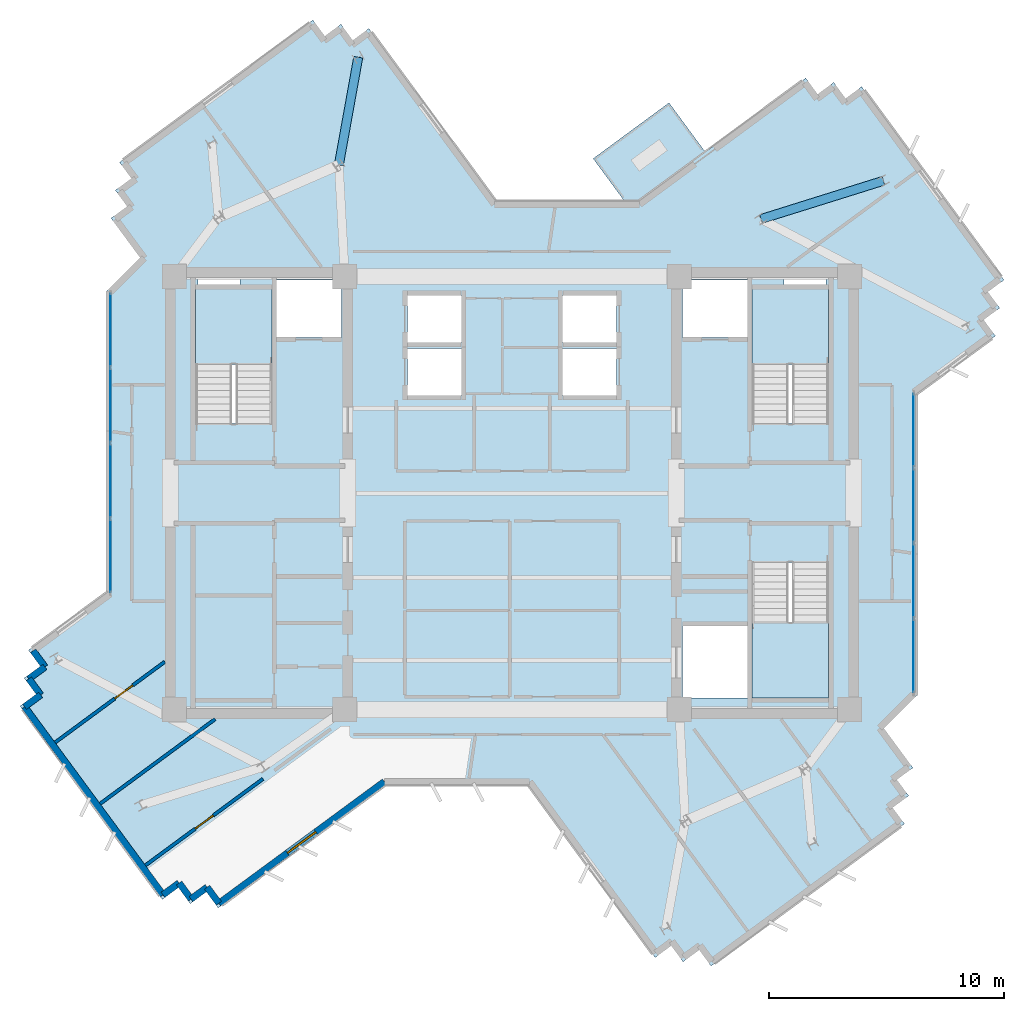
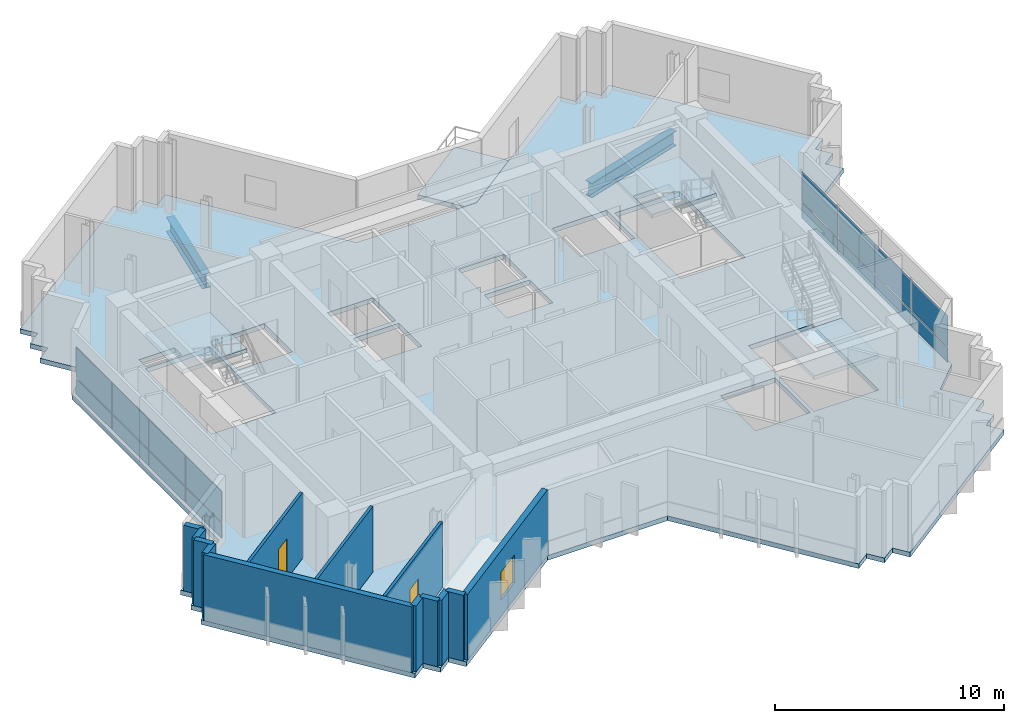
# One storey, part 5 of 13: 16 plates, 13 walls, 5 slabs, 2 beams, 2 doors, 1 window, 3 openings, 5 elements without a shape of their own.
"""IFC4 building model written with IfcOpenShell, lengths in metres."""

from ifc_helpers import new_model, si_unit, direction, frame, frame_2d, origin, origin_2d, place, context, subcontext, project, spatial, polyline, rectangle, i_section, outline, extrude, source, transform, mapped, material, layer, layer_set, material_profile, profile_set, type_object, element, fill, aggregate, save


model = new_model("IFC4")

# Units and contexts
model_context = context("Model", 3, precision=1e-05, world=origin(), true_north=direction((0.0, 1.0)))
body_context = subcontext(model_context, "Body", "Model", "MODEL_VIEW")
ifc_project = project(units=[si_unit("LENGTHUNIT", "METRE"), si_unit("AREAUNIT", "SQUARE_METRE"), si_unit("VOLUMEUNIT", "CUBIC_METRE"), si_unit("PLANEANGLEUNIT", "RADIAN"), si_unit("MASSUNIT", "GRAM", prefix="KILO")], contexts=[model_context])

# Site, building, storey
site_placement = place(None, origin())
site = spatial("IfcSite", under=ifc_project, at=site_placement, CompositionType="ELEMENT")
building_placement = place(site_placement, origin())
building = spatial("IfcBuilding", under=site, at=building_placement, Name="Zahravan Cultural Tower", CompositionType="ELEMENT")
storey_placement = place(building_placement, frame((0.0, 0.0, 276.60009765625)))
storey = spatial("IfcBuildingStorey", under=building, at=storey_placement, Name="L66", CompositionType="ELEMENT", Elevation=276.60009765625)

# Beams
ifc_material_1 = material(Name="Steel ASTM A992 Grade 50", Category="steel")
ifc_material_profile = material_profile(ifc_material_1, i_section(OverallWidth=0.382080078125, OverallDepth=0.779052734375, WebThickness=0.01806640625, FlangeThickness=0.030029296875, FilletRadius=0.01904296875, at=origin_2d()), Name="W30X191")
ifc_profile_set = profile_set([ifc_material_profile], Name="Steel ASTM A992 Grade 50")
beam_type = type_object("IfcBeamType", Name="BM-G-W30X191", PredefinedType="BEAM", material=ifc_profile_set)
shared_shape_1 = source(origin(), body_context, "Body", "SweptSolid", [
    extrude(i_section(OverallWidth=0.382080078125, OverallDepth=0.779052734375, WebThickness=0.01806640625, FlangeThickness=0.030029296875, FilletRadius=0.01904296875, at=origin_2d()), origin(), (0.0, 0.0, 1.0), 5.450927734375),
])
beam_1_placement = place(storey_placement, frame((46.577880859375, 38.640625, -0.6396484375), z_axis=(0.954416996605, 0.298476459025, 0.0), x_axis=(-0.298476459025, 0.954416996605, 0.0)))
element("IfcBeam", 1, at=beam_1_placement, inside=storey, type_object=beam_type, Name="L66 Beam BG-L66-13", PredefinedType="BEAM", context=body_context, shape_type="MappedRepresentation", body=[
    mapped(shared_shape_1, transform((0.0, 0.0, 0.0), x_axis=(1.0, 0.0, 0.0), y_axis=(0.0, 1.0, 0.0), z_axis=(0.0, 0.0, 1.0), scale=1.0)),
])
shared_shape_2 = source(origin(), body_context, "Body", "SweptSolid", [
    extrude(i_section(OverallWidth=0.382080078125, OverallDepth=0.779052734375, WebThickness=0.01806640625, FlangeThickness=0.030029296875, FilletRadius=0.01904296875, at=origin_2d()), origin(), (0.0, 0.0, 1.0), 4.65087890625),
])
beam_2_placement = place(storey_placement, frame((28.642578125, 40.937255859375, -0.6396484375), z_axis=(0.177425522697, 0.984134230629, 0.0), x_axis=(-0.984134230629, 0.177425522697, 0.0)))
element("IfcBeam", 2, at=beam_2_placement, inside=storey, type_object=beam_type, Name="L66 Beam BG-L66-14", PredefinedType="BEAM", context=body_context, shape_type="MappedRepresentation", body=[
    mapped(shared_shape_2, transform((0.0, 0.0, 0.0), x_axis=(1.0, 0.0, 0.0), y_axis=(0.0, 1.0, 0.0), z_axis=(0.0, 0.0, 1.0), scale=1.0)),
])

# Stair, slab
ifc_material_2 = material(Name="Concrete C45/55", Category="concrete")
stair_type = type_object("IfcStairType", Name="STR-DL-1550-375", PredefinedType="HALF_TURN_STAIR", material=ifc_material_2)
stair_1_placement = place(storey_placement, origin())
stair_1 = element("IfcStair", 3, at=stair_1_placement, inside=storey, type_object=stair_type, Name="L66 West Core North Exit Stair ST-W1", PredefinedType="HALF_TURN_STAIR")
ifc_layer_1 = layer(ifc_material_2, 0.199951171875)
ifc_layer_set_1 = layer_set([ifc_layer_1], Name="Concrete C45/55")
slab_type_1 = type_object("IfcSlabType", Name="SL-STAIR-LND200", PredefinedType="LANDING", material=ifc_layer_set_1)
slab_1_placement = place(storey_placement, frame((0.0, 0.0, 1.6748046875)))
slab_1 = element("IfcSlab", 4, at=slab_1_placement, type_object=slab_type_1, Name="ST-W1 landing 1", PredefinedType="LANDING", context=body_context, shape_type="SweptSolid", body=[
    extrude(outline(polyline([(25.800048828125, 32.469970703125), (25.800048828125, 35.699951171875), (22.550048828125, 35.699951171875), (22.550048828125, 32.469970703125), (25.800048828125, 32.469970703125)])), origin(), (0.0, 0.0, 1.0), 0.2001953125),
])
aggregate(stair_1, [slab_1])

stair_2_placement = place(storey_placement, origin())
stair_2 = element("IfcStair", 5, at=stair_2_placement, inside=storey, type_object=stair_type, Name="L66 East Core North Exit Stair ST-E1", PredefinedType="HALF_TURN_STAIR")
slab_2_placement = place(storey_placement, frame((0.0, 0.0, 1.6748046875)))
slab_2 = element("IfcSlab", 6, at=slab_2_placement, type_object=slab_type_1, Name="ST-E1 landing 1", PredefinedType="LANDING", context=body_context, shape_type="SweptSolid", body=[
    extrude(outline(polyline([(49.449951171875, 32.469970703125), (49.449951171875, 35.699951171875), (46.199951171875, 35.699951171875), (46.199951171875, 32.469970703125), (49.449951171875, 32.469970703125)])), origin(), (0.0, 0.0, 1.0), 0.2001953125),
])
aggregate(stair_2, [slab_2])

stair_3_placement = place(storey_placement, origin())
stair_3 = element("IfcStair", 7, at=stair_3_placement, inside=storey, type_object=stair_type, Name="L66 East Core South Exit Stair ST-E2", PredefinedType="HALF_TURN_STAIR")
slab_3_placement = place(storey_placement, frame((0.0, 0.0, 1.6748046875)))
slab_3 = element("IfcSlab", 8, at=slab_3_placement, type_object=slab_type_1, Name="ST-E2 landing 1", PredefinedType="LANDING", context=body_context, shape_type="SweptSolid", body=[
    extrude(outline(polyline([(46.199951171875, 21.530029296875), (46.199951171875, 18.300048828125), (49.449951171875, 18.300048828125), (49.449951171875, 21.530029296875), (46.199951171875, 21.530029296875)])), origin(), (0.0, 0.0, 1.0), 0.2001953125),
])
aggregate(stair_3, [slab_3])

# Slabs
ifc_material_3 = material(Name="Concrete C40/50", Category="concrete")
ifc_layer_2 = layer(ifc_material_3, 0.239990234375)
ifc_layer_set_2 = layer_set([ifc_layer_2], Name="Concrete C40/50")
slab_type_2 = type_object("IfcSlabType", Name="SL-TERR-240", PredefinedType="FLOOR", material=ifc_layer_set_2)
slab_4_placement = place(storey_placement, frame((0.0, 0.0, -0.239990234375)))
element("IfcSlab", 9, at=slab_4_placement, inside=storey, type_object=slab_type_2, Name="L66 Planted Sculpture Terrace NE", PredefinedType="FLOOR", context=body_context, shape_type="SweptSolid", body=[
    extrude(outline(polyline([(39.44921875, 41.209228515625), (40.77685546875, 39.405029296875), (41.37548828125, 39.405029296875), (44.208740234375, 41.489990234375), (42.670654296875, 43.580078125), (39.44921875, 41.209228515625)])), origin(), (0.0, 0.0, 1.0), 0.239990234375),
])
ifc_layer_3 = layer(ifc_material_3, 0.25)
ifc_layer_set_3 = layer_set([ifc_layer_3], Name="Concrete C40/50")
slab_type_3 = type_object("IfcSlabType", Name="SL-TYP-250", PredefinedType="FLOOR", material=ifc_layer_set_3)
slab_5_placement = place(storey_placement, frame((0.0, 0.0, -0.25)))
element("IfcSlab", 10, at=slab_5_placement, inside=storey, type_object=slab_type_3, Name="L66 Structural Floor Slab", PredefinedType="FLOOR", context=body_context, shape_type="SweptSolid", body=[
    extrude(outline(polyline([(41.377197265625, 39.39990234375), (35.3173828125, 39.39990234375), (29.918701171875, 46.736083984375), (29.234130859375, 46.232177734375), (28.73046875, 46.916748046875), (28.0458984375, 46.4130859375), (27.5419921875, 47.09765625), (19.326904296875, 41.052001953125), (19.83056640625, 40.3671875), (19.14599609375, 39.863525390625), (19.64990234375, 39.178955078125), (18.965087890625, 38.675048828125), (20.19873046875, 36.998779296875), (18.800048828125, 35.60009765625), (18.800048828125, 22.78515625), (15.45849609375, 20.326171875), (15.96240234375, 19.6416015625), (15.27783203125, 19.1376953125), (15.781494140625, 18.453125), (15.096923828125, 17.94921875), (21.142578125, 9.734130859375), (21.827392578125, 10.23779296875), (22.3310546875, 9.55322265625), (23.015625, 10.05712890625), (23.51953125, 9.37255859375), (30.622802734375, 14.60009765625), (36.6826171875, 14.60009765625), (42.081298828125, 7.263916015625), (42.765869140625, 7.767822265625), (43.26953125, 7.083251953125), (43.9541015625, 7.5869140625), (44.4580078125, 6.90234375), (52.673095703125, 12.947998046875), (52.16943359375, 13.6328125), (52.85400390625, 14.136474609375), (52.35009765625, 14.821044921875), (53.034912109375, 15.324951171875), (51.80126953125, 17.001220703125), (53.199951171875, 18.39990234375), (53.199951171875, 31.21484375), (56.54150390625, 33.673828125), (56.03759765625, 34.3583984375), (56.72216796875, 34.8623046875), (56.218505859375, 35.546875), (56.903076171875, 36.05078125), (50.857421875, 44.265869140625), (50.172607421875, 43.76220703125), (49.6689453125, 44.44677734375), (48.984375, 43.94287109375), (48.48046875, 44.62744140625), (41.377197265625, 39.39990234375)]), holes=[polyline([(22.550048828125, 29.949951171875), (22.550048828125, 35.699951171875), (25.800048828125, 35.699951171875), (25.800048828125, 29.949951171875), (22.550048828125, 29.949951171875)]), polyline([(46.199951171875, 29.949951171875), (46.199951171875, 35.699951171875), (49.449951171875, 35.699951171875), (49.449951171875, 29.949951171875), (46.199951171875, 29.949951171875)]), polyline([(46.199951171875, 18.300048828125), (46.199951171875, 24.050048828125), (49.449951171875, 24.050048828125), (49.449951171875, 18.300048828125), (46.199951171875, 18.300048828125)]), polyline([(26.0, 33.60009765625), (26.0, 36.050048828125), (28.75, 36.050048828125), (28.75, 33.60009765625), (26.0, 33.60009765625)]), polyline([(43.25, 33.60009765625), (43.25, 36.050048828125), (46.0, 36.050048828125), (46.0, 33.60009765625), (43.25, 33.60009765625)]), polyline([(43.25, 18.300048828125), (43.25, 21.35009765625), (46.0, 21.35009765625), (46.0, 18.300048828125), (43.25, 18.300048828125)]), polyline([(31.550048828125, 33.39990234375), (31.550048828125, 35.39990234375), (33.85009765625, 35.39990234375), (33.85009765625, 33.39990234375), (31.550048828125, 33.39990234375)]), polyline([(31.550048828125, 31.14990234375), (31.550048828125, 33.14990234375), (33.85009765625, 33.14990234375), (33.85009765625, 31.14990234375), (31.550048828125, 31.14990234375)]), polyline([(38.14990234375, 33.39990234375), (38.14990234375, 35.39990234375), (40.449951171875, 35.39990234375), (40.449951171875, 33.39990234375), (38.14990234375, 33.39990234375)]), polyline([(38.14990234375, 31.14990234375), (38.14990234375, 33.14990234375), (40.449951171875, 33.14990234375), (40.449951171875, 31.14990234375), (38.14990234375, 31.14990234375)]), polyline([(22.64990234375, 35.800048828125), (22.64990234375, 36.419921875), (24.449951171875, 36.419921875), (24.449951171875, 35.800048828125), (22.64990234375, 35.800048828125)]), polyline([(47.550048828125, 35.800048828125), (47.550048828125, 36.419921875), (49.35009765625, 36.419921875), (49.35009765625, 35.800048828125), (47.550048828125, 35.800048828125)])]), origin(), (0.0, 0.0, 1.0), 0.25),
])

# Curtain wall, plates
ifc_material_4 = material(Name="Anodised bronze-aluminium mullion", Category="aluminium")
ifc_layer_4 = layer(ifc_material_4, 0.199951171875)
ifc_layer_set_4 = layer_set([ifc_layer_4], Name="Anodised bronze-aluminium mullion")
curtain_wall_type_1 = type_object("IfcCurtainWallType", Name="CW-SYS-2", PredefinedType="USERDEFINED", material=ifc_layer_set_4)
curtain_wall_1_placement = place(storey_placement, origin())
curtain_wall_1 = element("IfcCurtainWall", 11, at=curtain_wall_1_placement, inside=storey, type_object=curtain_wall_type_1, Name="L66 Recessed Curtain Wall CW-2.1", ObjectType="RECESSED GLAZING", PredefinedType="USERDEFINED")
ifc_material_5 = material(Name="Low-E solar-control double glazing", Category="glass")
ifc_layer_5 = layer(ifc_material_5, 0.030029296875)
ifc_layer_set_5 = layer_set([ifc_layer_5], Name="Low-E solar-control double glazing")
plate_type_1 = type_object("IfcPlateType", Name="CWP-CW-2", PredefinedType="CURTAIN_PANEL", material=ifc_layer_set_5)
shared_shape_3 = source(origin(), body_context, "Body", "SweptSolid", [
    extrude(rectangle(XDim=3.094482421875, YDim=0.030029296875, at=origin_2d()), origin(), (0.0, 0.0, 1.0), 0.78759765625),
])
plate_1_placement = place(storey_placement, frame((53.06005859375, 29.66357421875, 0.074951171875), z_axis=(0.0, 0.0, 1.0), x_axis=(0.0, -1.0, 0.0)))
plate_1 = element("IfcPlate", 12, at=plate_1_placement, type_object=plate_type_1, Name="CW-2 panel 1.1", PredefinedType="CURTAIN_PANEL", context=body_context, shape_type="MappedRepresentation", body=[
    mapped(shared_shape_3, transform((0.0, 0.0, 0.0), x_axis=(1.0, 0.0, 0.0), y_axis=(0.0, 1.0, 0.0), z_axis=(0.0, 0.0, 1.0), scale=1.0)),
])
plate_2_placement = place(storey_placement, frame((53.06005859375, 20.080322265625, 0.074951171875), z_axis=(0.0, 0.0, 1.0), x_axis=(0.0, -1.0, 0.0)))
plate_2 = element("IfcPlate", 13, at=plate_2_placement, type_object=plate_type_1, Name="CW-2 panel 4.1", PredefinedType="CURTAIN_PANEL", context=body_context, shape_type="MappedRepresentation", body=[
    mapped(shared_shape_3, transform((0.0, 0.0, 0.0), x_axis=(1.0, 0.0, 0.0), y_axis=(0.0, 1.0, 0.0), z_axis=(0.0, 0.0, 1.0), scale=1.0)),
])
shared_shape_4 = source(origin(), body_context, "Body", "SweptSolid", [
    extrude(rectangle(XDim=3.094482421875, YDim=0.030029296875, at=origin_2d()), origin(), (0.0, 0.0, 1.0), 1.607421875),
])
plate_3_placement = place(storey_placement, frame((53.06005859375, 29.66357421875, 0.9375), z_axis=(0.0, 0.0, 1.0), x_axis=(0.0, -1.0, 0.0)))
plate_3 = element("IfcPlate", 14, at=plate_3_placement, type_object=plate_type_1, Name="CW-2 panel 1.2", PredefinedType="CURTAIN_PANEL", context=body_context, shape_type="MappedRepresentation", body=[
    mapped(shared_shape_4, transform((0.0, 0.0, 0.0), x_axis=(1.0, 0.0, 0.0), y_axis=(0.0, 1.0, 0.0), z_axis=(0.0, 0.0, 1.0), scale=1.0)),
])
plate_4_placement = place(storey_placement, frame((53.06005859375, 20.080322265625, 0.9375), z_axis=(0.0, 0.0, 1.0), x_axis=(0.0, -1.0, 0.0)))
plate_4 = element("IfcPlate", 15, at=plate_4_placement, type_object=plate_type_1, Name="CW-2 panel 4.2", PredefinedType="CURTAIN_PANEL", context=body_context, shape_type="MappedRepresentation", body=[
    mapped(shared_shape_4, transform((0.0, 0.0, 0.0), x_axis=(1.0, 0.0, 0.0), y_axis=(0.0, 1.0, 0.0), z_axis=(0.0, 0.0, 1.0), scale=1.0)),
])
shared_shape_5 = source(origin(), body_context, "Body", "SweptSolid", [
    extrude(rectangle(XDim=3.1318359375, YDim=0.030029296875, at=origin_2d()), origin(), (0.0, 0.0, 1.0), 0.78759765625),
])
plate_5_placement = place(storey_placement, frame((53.06005859375, 26.475341796875, 0.074951171875), z_axis=(0.0, 0.0, 1.0), x_axis=(0.0, -1.0, 0.0)))
plate_5 = element("IfcPlate", 16, at=plate_5_placement, type_object=plate_type_1, Name="CW-2 panel 2.1", PredefinedType="CURTAIN_PANEL", context=body_context, shape_type="MappedRepresentation", body=[
    mapped(shared_shape_5, transform((0.0, 0.0, 0.0), x_axis=(1.0, 0.0, 0.0), y_axis=(0.0, 1.0, 0.0), z_axis=(0.0, 0.0, 1.0), scale=1.0)),
])
plate_6_placement = place(storey_placement, frame((53.06005859375, 23.268310546875, 0.074951171875), z_axis=(0.0, 0.0, 1.0), x_axis=(0.0, -1.0, 0.0)))
plate_6 = element("IfcPlate", 17, at=plate_6_placement, type_object=plate_type_1, Name="CW-2 panel 3.1", PredefinedType="CURTAIN_PANEL", context=body_context, shape_type="MappedRepresentation", body=[
    mapped(shared_shape_5, transform((0.0, 0.0, 0.0), x_axis=(1.0, 0.0, 0.0), y_axis=(0.0, 1.0, 0.0), z_axis=(0.0, 0.0, 1.0), scale=1.0)),
])
shared_shape_6 = source(origin(), body_context, "Body", "SweptSolid", [
    extrude(rectangle(XDim=3.1318359375, YDim=0.030029296875, at=origin_2d()), origin(), (0.0, 0.0, 1.0), 1.607421875),
])
plate_7_placement = place(storey_placement, frame((53.06005859375, 26.475341796875, 0.9375), z_axis=(0.0, 0.0, 1.0), x_axis=(0.0, -1.0, 0.0)))
plate_7 = element("IfcPlate", 18, at=plate_7_placement, type_object=plate_type_1, Name="CW-2 panel 2.2", PredefinedType="CURTAIN_PANEL", context=body_context, shape_type="MappedRepresentation", body=[
    mapped(shared_shape_6, transform((0.0, 0.0, 0.0), x_axis=(1.0, 0.0, 0.0), y_axis=(0.0, 1.0, 0.0), z_axis=(0.0, 0.0, 1.0), scale=1.0)),
])
plate_8_placement = place(storey_placement, frame((53.06005859375, 23.268310546875, 0.9375), z_axis=(0.0, 0.0, 1.0), x_axis=(0.0, -1.0, 0.0)))
plate_8 = element("IfcPlate", 19, at=plate_8_placement, type_object=plate_type_1, Name="CW-2 panel 3.2", PredefinedType="CURTAIN_PANEL", context=body_context, shape_type="MappedRepresentation", body=[
    mapped(shared_shape_6, transform((0.0, 0.0, 0.0), x_axis=(1.0, 0.0, 0.0), y_axis=(0.0, 1.0, 0.0), z_axis=(0.0, 0.0, 1.0), scale=1.0)),
])
aggregate(curtain_wall_1, [plate_1, plate_3, plate_5, plate_7, plate_6, plate_8, plate_2, plate_4])

ifc_layer_6 = layer(ifc_material_4, 0.179931640625)
ifc_layer_set_6 = layer_set([ifc_layer_6], Name="Anodised bronze-aluminium mullion")
curtain_wall_type_2 = type_object("IfcCurtainWallType", Name="CW-SYS-3", PredefinedType="USERDEFINED", material=ifc_layer_set_6)
curtain_wall_2_placement = place(storey_placement, origin())
curtain_wall_2 = element("IfcCurtainWall", 20, at=curtain_wall_2_placement, inside=storey, type_object=curtain_wall_type_2, Name="L66 Recessed Curtain Wall CW-3.2", ObjectType="RECESSED GLAZING", PredefinedType="USERDEFINED")
ifc_layer_7 = layer(ifc_material_5, 0.028076171875)
ifc_layer_set_7 = layer_set([ifc_layer_7], Name="Low-E solar-control double glazing")
plate_type_2 = type_object("IfcPlateType", Name="CWP-CW-3", PredefinedType="CURTAIN_PANEL", material=ifc_layer_set_7)
shared_shape_7 = source(origin(), body_context, "Body", "SweptSolid", [
    extrude(rectangle(XDim=3.101806640625, YDim=0.028076171875, at=origin_2d()), origin(), (0.0, 0.0, 1.0), 0.794921875),
])
plate_9_placement = place(storey_placement, frame((18.93994140625, 24.335205078125, 0.06982421875), z_axis=(0.0, 0.0, 1.0), x_axis=(0.0, 1.0, 0.0)))
plate_9 = element("IfcPlate", 21, at=plate_9_placement, type_object=plate_type_2, Name="CW-3 panel 1.1", PredefinedType="CURTAIN_PANEL", context=body_context, shape_type="MappedRepresentation", body=[
    mapped(shared_shape_7, transform((0.0, 0.0, 0.0), x_axis=(1.0, 0.0, 0.0), y_axis=(0.0, 1.0, 0.0), z_axis=(0.0, 0.0, 1.0), scale=1.0)),
])
plate_10_placement = place(storey_placement, frame((18.93994140625, 33.921142578125, 0.06982421875), z_axis=(0.0, 0.0, 1.0), x_axis=(0.0, 1.0, 0.0)))
plate_10 = element("IfcPlate", 22, at=plate_10_placement, type_object=plate_type_2, Name="CW-3 panel 4.1", PredefinedType="CURTAIN_PANEL", context=body_context, shape_type="MappedRepresentation", body=[
    mapped(shared_shape_7, transform((0.0, 0.0, 0.0), x_axis=(1.0, 0.0, 0.0), y_axis=(0.0, 1.0, 0.0), z_axis=(0.0, 0.0, 1.0), scale=1.0)),
])
shared_shape_8 = source(origin(), body_context, "Body", "SweptSolid", [
    extrude(rectangle(XDim=3.101806640625, YDim=0.028076171875, at=origin_2d()), origin(), (0.0, 0.0, 1.0), 1.614990234375),
])
plate_11_placement = place(storey_placement, frame((18.93994140625, 24.335205078125, 0.93505859375), z_axis=(0.0, 0.0, 1.0), x_axis=(0.0, 1.0, 0.0)))
plate_11 = element("IfcPlate", 23, at=plate_11_placement, type_object=plate_type_2, Name="CW-3 panel 1.2", PredefinedType="CURTAIN_PANEL", context=body_context, shape_type="MappedRepresentation", body=[
    mapped(shared_shape_8, transform((0.0, 0.0, 0.0), x_axis=(1.0, 0.0, 0.0), y_axis=(0.0, 1.0, 0.0), z_axis=(0.0, 0.0, 1.0), scale=1.0)),
])
plate_12_placement = place(storey_placement, frame((18.93994140625, 33.921142578125, 0.93505859375), z_axis=(0.0, 0.0, 1.0), x_axis=(0.0, 1.0, 0.0)))
plate_12 = element("IfcPlate", 24, at=plate_12_placement, type_object=plate_type_2, Name="CW-3 panel 4.2", PredefinedType="CURTAIN_PANEL", context=body_context, shape_type="MappedRepresentation", body=[
    mapped(shared_shape_8, transform((0.0, 0.0, 0.0), x_axis=(1.0, 0.0, 0.0), y_axis=(0.0, 1.0, 0.0), z_axis=(0.0, 0.0, 1.0), scale=1.0)),
])
shared_shape_9 = source(origin(), body_context, "Body", "SweptSolid", [
    extrude(rectangle(XDim=3.136962890625, YDim=0.028076171875, at=origin_2d()), origin(), (0.0, 0.0, 1.0), 0.794921875),
])
plate_13_placement = place(storey_placement, frame((18.93994140625, 27.524658203125, 0.06982421875), z_axis=(0.0, 0.0, 1.0), x_axis=(0.0, 1.0, 0.0)))
plate_13 = element("IfcPlate", 25, at=plate_13_placement, type_object=plate_type_2, Name="CW-3 panel 2.1", PredefinedType="CURTAIN_PANEL", context=body_context, shape_type="MappedRepresentation", body=[
    mapped(shared_shape_9, transform((0.0, 0.0, 0.0), x_axis=(1.0, 0.0, 0.0), y_axis=(0.0, 1.0, 0.0), z_axis=(0.0, 0.0, 1.0), scale=1.0)),
])
plate_14_placement = place(storey_placement, frame((18.93994140625, 30.731689453125, 0.06982421875), z_axis=(0.0, 0.0, 1.0), x_axis=(0.0, 1.0, 0.0)))
plate_14 = element("IfcPlate", 26, at=plate_14_placement, type_object=plate_type_2, Name="CW-3 panel 3.1", PredefinedType="CURTAIN_PANEL", context=body_context, shape_type="MappedRepresentation", body=[
    mapped(shared_shape_9, transform((0.0, 0.0, 0.0), x_axis=(1.0, 0.0, 0.0), y_axis=(0.0, 1.0, 0.0), z_axis=(0.0, 0.0, 1.0), scale=1.0)),
])
shared_shape_10 = source(origin(), body_context, "Body", "SweptSolid", [
    extrude(rectangle(XDim=3.136962890625, YDim=0.028076171875, at=origin_2d()), origin(), (0.0, 0.0, 1.0), 1.614990234375),
])
plate_15_placement = place(storey_placement, frame((18.93994140625, 27.524658203125, 0.93505859375), z_axis=(0.0, 0.0, 1.0), x_axis=(0.0, 1.0, 0.0)))
plate_15 = element("IfcPlate", 27, at=plate_15_placement, type_object=plate_type_2, Name="CW-3 panel 2.2", PredefinedType="CURTAIN_PANEL", context=body_context, shape_type="MappedRepresentation", body=[
    mapped(shared_shape_10, transform((0.0, 0.0, 0.0), x_axis=(1.0, 0.0, 0.0), y_axis=(0.0, 1.0, 0.0), z_axis=(0.0, 0.0, 1.0), scale=1.0)),
])
plate_16_placement = place(storey_placement, frame((18.93994140625, 30.731689453125, 0.93505859375), z_axis=(0.0, 0.0, 1.0), x_axis=(0.0, 1.0, 0.0)))
plate_16 = element("IfcPlate", 28, at=plate_16_placement, type_object=plate_type_2, Name="CW-3 panel 3.2", PredefinedType="CURTAIN_PANEL", context=body_context, shape_type="MappedRepresentation", body=[
    mapped(shared_shape_10, transform((0.0, 0.0, 0.0), x_axis=(1.0, 0.0, 0.0), y_axis=(0.0, 1.0, 0.0), z_axis=(0.0, 0.0, 1.0), scale=1.0)),
])
aggregate(curtain_wall_2, [plate_9, plate_11, plate_13, plate_15, plate_14, plate_16, plate_10, plate_12])

# Wall, opening, window
ifc_material_6 = material(Name="Precast concrete C40/50", Category="concrete")
ifc_layer_8 = layer(ifc_material_6, 0.280029296875)
ifc_layer_set_8 = layer_set([ifc_layer_8], Name="Precast concrete C40/50")
wall_type_1 = type_object("IfcWallType", Name="EW-TC-280", PredefinedType="SOLIDWALL", material=ifc_layer_set_8)
wall_1_placement = place(storey_placement, frame((30.576904296875, 14.739990234375, 0.0), z_axis=(0.0, 0.0, 1.0), x_axis=(-0.805403112922, -0.592727446383, 0.0)))
wall_1 = element("IfcWall", 29, at=wall_1_placement, inside=storey, type_object=wall_type_1, Name="L66 Exterior Masonry Frame Wall 25", PredefinedType="SOLIDWALL", context=body_context, shape_type="SweptSolid", body=[
    extrude(rectangle(XDim=8.7255859375, YDim=0.280029296875, at=frame_2d((4.36279296875, 0.0))), origin(), (0.0, 0.0, 1.0), 3.5),
])
opening_1_placement = place(wall_1_placement, frame((3.613037109375, 0.0, 0.85009765625)))
opening_1 = element("IfcOpeningElement", 30, at=opening_1_placement, cuts=wall_1, Name="Opening WN-03", PredefinedType="OPENING", context=body_context, shape_type="SweptSolid", body=[
    extrude(rectangle(XDim=1.5, YDim=1.5, at=frame_2d((0.75, 0.75))), frame((0.0, 0.14990234375, 0.0), z_axis=(0.0, -1.0, 0.0), x_axis=(1.0, 0.0, 0.0)), (0.0, 0.0, 1.0), 0.300048828125),
])
window_type = type_object("IfcWindowType", Name="WN-REC-1500X1500", PartitioningType="SINGLE_PANEL", PredefinedType="WINDOW", material=ifc_material_5)
shared_shape_11 = source(origin(), body_context, "Body", "SweptSolid", [
    extrude(rectangle(XDim=1.5, YDim=1.5, at=frame_2d((0.75, 0.75))), frame((0.0, 0.030029296875, 0.0), z_axis=(0.0, -1.0, 0.0), x_axis=(1.0, 0.0, 0.0)), (0.0, 0.0, 1.0), 0.06005859375),
])
window_placement = place(opening_1_placement, origin())
window = element("IfcWindow", 31, at=window_placement, inside=storey, type_object=window_type, Name="L66 Recessed Solar Window 04", OverallHeight=1.5, OverallWidth=1.5, PartitioningType="SINGLE_PANEL", PredefinedType="WINDOW", context=body_context, shape_type="MappedRepresentation", body=[
    mapped(shared_shape_11, transform((0.0, 0.0, 0.0), x_axis=(1.0, 0.0, 0.0), y_axis=(0.0, 1.0, 0.0), z_axis=(0.0, 0.0, 1.0), scale=1.0)),
])
fill(opening_1, window)

# Wall, opening, door
ifc_material_7 = material(Name="Gypsum plasterboard partition")
ifc_layer_9 = layer(ifc_material_7, 0.139892578125)
ifc_layer_set_9 = layer_set([ifc_layer_9], Name="Gypsum plasterboard partition")
wall_type_2 = type_object("IfcWallType", Name="W-PART-140", PredefinedType="PARTITIONING", material=ifc_layer_set_9)
wall_2_placement = place(storey_placement, frame((16.589111328125, 16.402587890625, 0.0), z_axis=(0.0, 0.0, 1.0), x_axis=(0.80540492624, 0.592724982423, 0.0)))
wall_2 = element("IfcWall", 32, at=wall_2_placement, inside=storey, type_object=wall_type_2, Name="L66 Interior Wall 071", PredefinedType="PARTITIONING", context=body_context, shape_type="SweptSolid", body=[
    extrude(rectangle(XDim=5.781005859375, YDim=0.139892578125, at=frame_2d((2.890625, 0.0))), origin(), (0.0, 0.0, 1.0), 3.5),
])
opening_2_placement = place(wall_2_placement, frame((3.14013671875, 0.0, 0.0)))
opening_2 = element("IfcOpeningElement", 33, at=opening_2_placement, cuts=wall_2, Name="Opening D-L66-33", PredefinedType="OPENING", context=body_context, shape_type="SweptSolid", body=[
    extrude(rectangle(XDim=0.949951171875, YDim=2.14990234375, at=frame_2d((0.47509765625, 1.074951171875))), frame((0.0, 0.079833984375, 0.0), z_axis=(0.0, -1.0, 0.0), x_axis=(1.0, 0.0, 0.0)), (0.0, 0.0, 1.0), 0.159912109375),
])
door_type = type_object("IfcDoorType", Name="DR-ROOM-950", OperationType="NOTDEFINED", PredefinedType="DOOR", material=ifc_material_4)
shared_shape_12 = source(origin(), body_context, "Body", "SweptSolid", [
    extrude(rectangle(XDim=0.949951171875, YDim=2.14990234375, at=frame_2d((0.47509765625, 1.074951171875))), frame((0.0, 0.02490234375, 0.0), z_axis=(0.0, -1.0, 0.0), x_axis=(1.0, 0.0, 0.0)), (0.0, 0.0, 1.0), 0.050048828125),
])
door_1_placement = place(opening_2_placement, origin())
door_1 = element("IfcDoor", 34, at=door_1_placement, inside=storey, type_object=door_type, Name="L66 Door D-L66-33", OperationType="SINGLE_SWING_LEFT", OverallHeight=2.14990234375, OverallWidth=0.949951171875, PredefinedType="DOOR", context=body_context, shape_type="MappedRepresentation", body=[
    mapped(shared_shape_12, transform((0.0, 0.0, 0.0), x_axis=(1.0, 0.0, 0.0), y_axis=(0.0, 1.0, 0.0), z_axis=(0.0, 0.0, 1.0), scale=1.0)),
])
fill(opening_2, door_1)

wall_3_placement = place(storey_placement, frame((25.41796875, 14.8544921875, 0.0), z_axis=(0.0, 0.0, 1.0), x_axis=(-0.805402487917, -0.592728295645, 0.0)))
wall_3 = element("IfcWall", 35, at=wall_3_placement, inside=storey, type_object=wall_type_2, Name="L66 Interior Wall 076", PredefinedType="PARTITIONING", context=body_context, shape_type="SweptSolid", body=[
    extrude(rectangle(XDim=6.193115234375, YDim=0.139892578125, at=frame_2d((3.0966796875, 0.0))), origin(), (0.0, 0.0, 1.0), 3.5),
])
opening_3_placement = place(wall_3_placement, frame((2.62158203125, 0.0, 0.0)))
opening_3 = element("IfcOpeningElement", 36, at=opening_3_placement, cuts=wall_3, Name="Opening D-L66-34", PredefinedType="OPENING", context=body_context, shape_type="SweptSolid", body=[
    extrude(rectangle(XDim=0.949951171875, YDim=2.14990234375, at=frame_2d((0.47509765625, 1.074951171875))), frame((0.0, 0.079833984375, 0.0), z_axis=(0.0, -1.0, 0.0), x_axis=(1.0, 0.0, 0.0)), (0.0, 0.0, 1.0), 0.159912109375),
])
door_2_placement = place(opening_3_placement, origin())
door_2 = element("IfcDoor", 37, at=door_2_placement, inside=storey, type_object=door_type, Name="L66 Door D-L66-34", OperationType="SINGLE_SWING_RIGHT", OverallHeight=2.14990234375, OverallWidth=0.949951171875, PredefinedType="DOOR", context=body_context, shape_type="MappedRepresentation", body=[
    mapped(shared_shape_12, transform((0.0, 0.0, 0.0), x_axis=(1.0, 0.0, 0.0), y_axis=(0.0, 1.0, 0.0), z_axis=(0.0, 0.0, 1.0), scale=1.0)),
])
fill(opening_3, door_2)

# Walls
shared_shape_13 = source(origin(), body_context, "Body", "SweptSolid", [
    extrude(rectangle(XDim=0.85009765625, YDim=0.280029296875, at=frame_2d((0.425048828125, 0.0))), origin(), (0.0, 0.0, 1.0), 3.5),
])
for number, where, z_axis, x_axis, name in (
    (38, (23.54931640625, 9.568115234375, 0.0), (0.0, 0.0, 1.0), (-0.592807079659, 0.80534450163, 0.0), "L66 Exterior Masonry Frame Wall 26"),
    (39, (21.857177734375, 10.43359375, 0.0), (0.0, 0.0, 1.0), (-0.80534450163, -0.592807079659, 0.0), "L66 Exterior Masonry Frame Wall 29"),
    (40, (15.292724609375, 17.91943359375, 0.0), (0.0, 0.0, 1.0), (0.80534450163, 0.592807079659, 0.0), "L66 Exterior Masonry Frame Wall 31"),
    (41, (15.977294921875, 18.42333984375, 0.0), (0.0, 0.0, 1.0), (-0.592807079659, 0.80534450163, 0.0), "L66 Exterior Masonry Frame Wall 32"),
    (42, (16.158203125, 19.61181640625, 0.0), (0.0, 0.0, 1.0), (-0.592807079659, 0.80534450163, 0.0), "L66 Exterior Masonry Frame Wall 34"),
):
    element("IfcWall", number, at=place(storey_placement, frame(where, z_axis=z_axis, x_axis=x_axis)), inside=storey, type_object=wall_type_1, Name=name, PredefinedType="SOLIDWALL", context=body_context, shape_type="MappedRepresentation", body=[
        mapped(shared_shape_13, transform((0.0, 0.0, 0.0), x_axis=(1.0, 0.0, 0.0), y_axis=(0.0, 1.0, 0.0), z_axis=(0.0, 0.0, 1.0), scale=1.0)),
    ])
shared_shape_14 = source(origin(), body_context, "Body", "SweptSolid", [
    extrude(rectangle(XDim=0.849853515625, YDim=0.280029296875, at=frame_2d((0.4248046875, 0.0))), origin(), (0.0, 0.0, 1.0), 3.5),
])
for number, where, z_axis, x_axis, name in (
    (43, (23.04541015625, 10.252685546875, 0.0), (0.0, 0.0, 1.0), (-0.805481622783, -0.592620751712, 0.0), "L66 Exterior Masonry Frame Wall 27"),
    (44, (22.36083984375, 9.7490234375, 0.0), (0.0, 0.0, 1.0), (-0.592620751712, 0.805481622783, 0.0), "L66 Exterior Masonry Frame Wall 28"),
):
    element("IfcWall", number, at=place(storey_placement, frame(where, z_axis=z_axis, x_axis=x_axis)), inside=storey, type_object=wall_type_1, Name=name, PredefinedType="SOLIDWALL", context=body_context, shape_type="MappedRepresentation", body=[
        mapped(shared_shape_14, transform((0.0, 0.0, 0.0), x_axis=(1.0, 0.0, 0.0), y_axis=(0.0, 1.0, 0.0), z_axis=(0.0, 0.0, 1.0), scale=1.0)),
    ])
shared_shape_15 = source(origin(), body_context, "Body", "SweptSolid", [
    extrude(rectangle(XDim=9.920166015625, YDim=0.280029296875, at=frame_2d((4.9599609375, 0.0))), origin(), (0.0, 0.0, 1.0), 3.5),
])
wall_4_placement = place(storey_placement, frame((21.172607421875, 9.9296875, 0.0), z_axis=(0.0, 0.0, 1.0), x_axis=(-0.592722097771, 0.805407049146, 0.0)))
element("IfcWall", 45, at=wall_4_placement, inside=storey, type_object=wall_type_1, Name="L66 Exterior Masonry Frame Wall 30", PredefinedType="SOLIDWALL", context=body_context, shape_type="MappedRepresentation", body=[
    mapped(shared_shape_15, transform((0.0, 0.0, 0.0), x_axis=(1.0, 0.0, 0.0), y_axis=(0.0, 1.0, 0.0), z_axis=(0.0, 0.0, 1.0), scale=1.0)),
])
shared_shape_16 = source(origin(), body_context, "Body", "SweptSolid", [
    extrude(rectangle(XDim=0.850341796875, YDim=0.280029296875, at=frame_2d((0.42529296875, 0.0))), origin(), (0.0, 0.0, 1.0), 3.5),
])
wall_5_placement = place(storey_placement, frame((15.473388671875, 19.10791015625, 0.0), z_axis=(0.0, 0.0, 1.0), x_axis=(0.805445398986, 0.592669983425, 0.0)))
element("IfcWall", 46, at=wall_5_placement, inside=storey, type_object=wall_type_1, Name="L66 Exterior Masonry Frame Wall 33", PredefinedType="SOLIDWALL", context=body_context, shape_type="MappedRepresentation", body=[
    mapped(shared_shape_16, transform((0.0, 0.0, 0.0), x_axis=(1.0, 0.0, 0.0), y_axis=(0.0, 1.0, 0.0), z_axis=(0.0, 0.0, 1.0), scale=1.0)),
])
shared_shape_17 = source(origin(), body_context, "Body", "SweptSolid", [
    extrude(rectangle(XDim=6.063232421875, YDim=0.139892578125, at=frame_2d((3.03173828125, 0.0))), origin(), (0.0, 0.0, 1.0), 3.5),
])
wall_6_placement = place(storey_placement, frame((23.386962890625, 17.39501953125, 0.0), z_axis=(0.0, 0.0, 1.0), x_axis=(-0.805422045282, -0.59270172007, 0.0)))
element("IfcWall", 47, at=wall_6_placement, inside=storey, type_object=wall_type_2, Name="L66 Interior Wall 070", PredefinedType="PARTITIONING", context=body_context, shape_type="MappedRepresentation", body=[
    mapped(shared_shape_17, transform((0.0, 0.0, 0.0), x_axis=(1.0, 0.0, 0.0), y_axis=(0.0, 1.0, 0.0), z_axis=(0.0, 0.0, 1.0), scale=1.0)),
])

save(model, "model.ifc")
